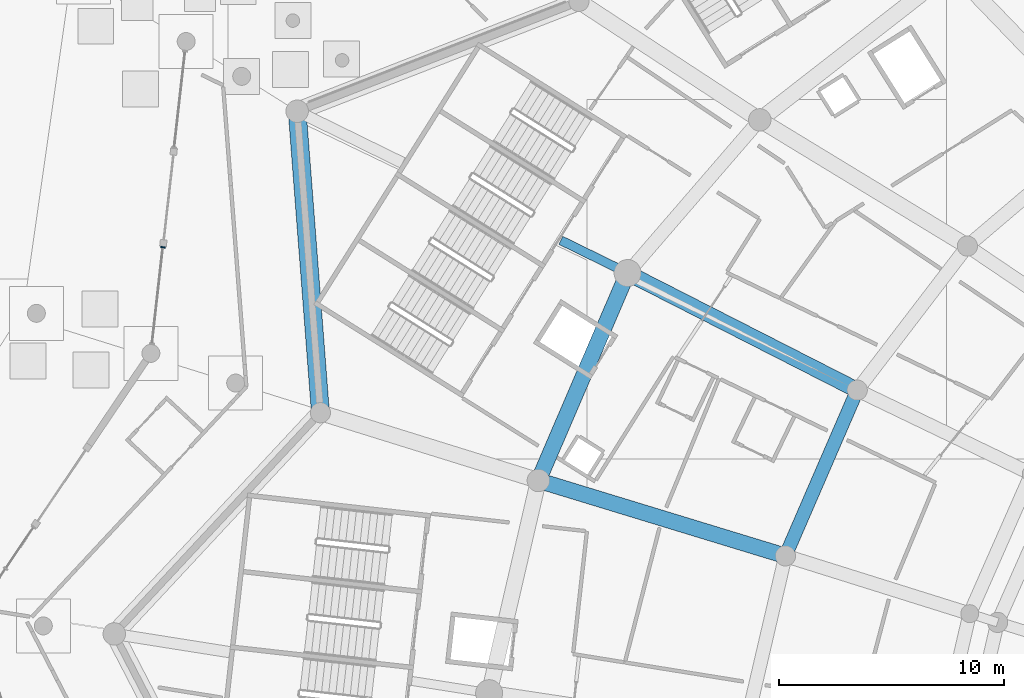
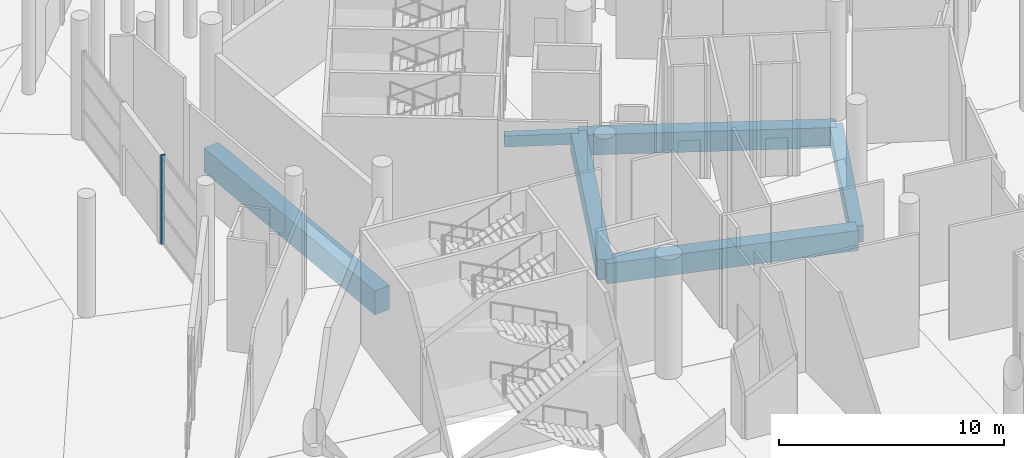
# One storey, part 46 of 255: 6 beams, 1 member, 1 element without a shape of its own.
"""IFC4 building model written with IfcOpenShell, lengths in metres."""

from ifc_helpers import new_model, si_unit, direction, frame, origin, origin_2d, place, context, subcontext, project, spatial, rectangle, extrude, material, layer, layer_set, material_profile, profile_set, type_object, element, aggregate, save


model = new_model("IFC4")

# Units and contexts
model_context = context("Model", 3, precision=1e-05, world=origin(), true_north=direction((0.0, 1.0)))
body_context = subcontext(model_context, "Body", "Model", "MODEL_VIEW")
ifc_project = project(units=[si_unit("LENGTHUNIT", "METRE"), si_unit("AREAUNIT", "SQUARE_METRE"), si_unit("VOLUMEUNIT", "CUBIC_METRE"), si_unit("PLANEANGLEUNIT", "RADIAN"), si_unit("MASSUNIT", "GRAM", prefix="KILO")], contexts=[model_context])

# Site, building, storey
site_placement = place(None, origin())
site = spatial("IfcSite", under=ifc_project, at=site_placement, CompositionType="ELEMENT")
building_placement = place(site_placement, origin())
building = spatial("IfcBuilding", under=site, at=building_placement, Name="Meseta Stadium", CompositionType="ELEMENT")
storey_placement = place(building_placement, origin())
storey = spatial("IfcBuildingStorey", under=building, at=storey_placement, Name="L00", CompositionType="ELEMENT", Elevation=0.0)

# Beams
ifc_material_1 = material(Name="Concrete C40/50", Category="concrete")
ifc_material_profile_1 = material_profile(ifc_material_1, rectangle(XDim=0.39990234375, YDim=0.60009765625, at=origin_2d()), Name="RC 400x600")
ifc_profile_set_1 = profile_set([ifc_material_profile_1], Name="Concrete C40/50")
beam_type_1 = type_object("IfcBeamType", Name="RC beam 400x600", PredefinedType="BEAM", material=ifc_profile_set_1)
beam_1_placement = place(storey_placement, frame((-78.197998046875, 72.27197265625, -0.699951171875), z_axis=(-0.898132346212, 0.439725242267, 0.0), x_axis=(-0.439725242267, -0.898132346212, 0.0)))
element("IfcBeam", 1, at=beam_1_placement, inside=storey, type_object=beam_type_1, Name="L00 radial beam frame 26 line P to R", PredefinedType="BEAM", context=body_context, shape_type="SweptSolid", body=[
    extrude(rectangle(XDim=0.39990234375, YDim=0.60009765625, at=origin_2d()), origin(), (0.0, 0.0, 1.0), 3.306396484375),
])
ifc_material_2 = material(Name="Concrete C40/50", Category="concrete")
ifc_material_profile_2 = material_profile(ifc_material_2, rectangle(XDim=0.60009765625, YDim=0.89990234375, at=origin_2d()), Name="RC 600x900")
ifc_profile_set_2 = profile_set([ifc_material_profile_2], Name="Concrete C40/50")
beam_type_2 = type_object("IfcBeamType", Name="RC beam 600x900", PredefinedType="BEAM", material=ifc_profile_set_2)
beam_2_placement = place(storey_placement, frame((-67.972412109375, 67.057861328125, -0.85009765625), z_axis=(-0.397502661884, -0.91760102103, 0.0), x_axis=(0.91760102103, -0.397502661884, 0.0)))
element("IfcBeam", 2, at=beam_2_placement, inside=storey, type_object=beam_type_2, Name="L00 ring beam frame 26 line E", PredefinedType="BEAM", context=body_context, shape_type="SweptSolid", body=[
    extrude(rectangle(XDim=0.60009765625, YDim=0.89990234375, at=origin_2d()), origin(), (0.0, 0.0, 1.0), 8.04345703125),
])
ifc_material_3 = material(Name="Concrete C40/50", Category="concrete")
ifc_material_profile_3 = material_profile(ifc_material_3, rectangle(XDim=0.699951171875, YDim=1.10009765625, at=origin_2d()), Name="RC 700x1100")
ifc_profile_set_3 = profile_set([ifc_material_profile_3], Name="Concrete C40/50")
beam_type_3 = type_object("IfcBeamType", Name="RC beam 700x1100", PredefinedType="BEAM", material=ifc_profile_set_3)
beam_3_placement = place(storey_placement, frame((-78.197998046875, 72.27197265625, -0.949951171875), z_axis=(-0.394921198525, -0.918714997676, 0.0), x_axis=(0.918714997676, -0.394921198525, 0.0)))
element("IfcBeam", 3, at=beam_3_placement, inside=storey, type_object=beam_type_3, Name="L00 ring beam frame 26 line P", PredefinedType="BEAM", context=body_context, shape_type="SweptSolid", body=[
    extrude(rectangle(XDim=0.699951171875, YDim=1.10009765625, at=origin_2d()), origin(), (0.0, 0.0, 1.0), 10.0556640625),
])
beam_4_placement = place(storey_placement, frame((-67.972412109375, 67.057861328125, -0.949951171875), z_axis=(-0.890868510984, 0.454261264184, 0.0), x_axis=(-0.454261264184, -0.890868510984, 0.0)))
element("IfcBeam", 4, at=beam_4_placement, inside=storey, type_object=beam_type_3, Name="L00 radial beam frame 26 line E to P", PredefinedType="BEAM", context=body_context, shape_type="SweptSolid", body=[
    extrude(rectangle(XDim=0.699951171875, YDim=1.10009765625, at=origin_2d()), origin(), (0.0, 0.0, 1.0), 11.478271484375),
])
beam_5_placement = place(storey_placement, frame((-71.169677734375, 59.67724609375, -0.949951171875), z_axis=(-0.956461260307, 0.291859311198, 0.0), x_axis=(-0.291859311198, -0.956461260307, 0.0)))
element("IfcBeam", 5, at=beam_5_placement, inside=storey, type_object=beam_type_3, Name="L00 radial beam frame 27 line E to P", PredefinedType="BEAM", context=body_context, shape_type="SweptSolid", body=[
    extrude(rectangle(XDim=0.699951171875, YDim=1.10009765625, at=origin_2d()), origin(), (0.0, 0.0, 1.0), 11.500244140625),
])
ifc_material_4 = material(Name="Concrete C40/50", Category="concrete")
ifc_material_profile_4 = material_profile(ifc_material_4, rectangle(XDim=0.800048828125, YDim=1.300048828125, at=origin_2d()), Name="RC 800x1300")
ifc_profile_set_4 = profile_set([ifc_material_profile_4], Name="Concrete C40/50")
beam_type_4 = type_object("IfcBeamType", Name="RC beam 800x1300", PredefinedType="BEAM", material=ifc_profile_set_4)
beam_6_placement = place(storey_placement, frame((-92.908447265625, 79.474609375, -1.050048828125), z_axis=(0.076925307894, -0.997036858399, 0.0), x_axis=(0.997036858399, 0.076925307894, 0.0)))
element("IfcBeam", 6, at=beam_6_placement, inside=storey, type_object=beam_type_4, Name="L00 ring beam frame 26 line R", PredefinedType="BEAM", context=body_context, shape_type="SweptSolid", body=[
    extrude(rectangle(XDim=0.800048828125, YDim=1.300048828125, at=origin_2d()), origin(), (0.0, 0.0, 1.0), 13.462890625),
])

# Curtain wall, member
ifc_material_5 = material(Name="Aluminium", Category="aluminium")
ifc_layer = layer(ifc_material_5, 0.199951171875)
ifc_layer_set = layer_set([ifc_layer], Name="Ring shopfront curtain wall")
curtain_wall_type = type_object("IfcCurtainWallType", Name="Ring shopfront curtain wall", PredefinedType="NOTDEFINED", material=ifc_layer_set)
curtain_wall_placement = place(storey_placement, origin())
curtain_wall = element("IfcCurtainWall", 7, at=curtain_wall_placement, inside=storey, type_object=curtain_wall_type, Name="Shopfront glazing F26b", PredefinedType="NOTDEFINED")
ifc_material_6 = material(Name="Aluminium", Category="aluminium")
ifc_material_profile_5 = material_profile(ifc_material_6, rectangle(XDim=0.199951171875, YDim=0.06005859375, at=origin_2d()), Name="CW 200x60")
ifc_profile_set_5 = profile_set([ifc_material_profile_5], Name="Aluminium")
member_type = type_object("IfcMemberType", Name="Ring CW mullion 60x200", PredefinedType="MULLION", material=ifc_profile_set_5)
member_placement = place(storey_placement, frame((-98.888671875, 73.42138671875, 0.0), z_axis=(0.0, 0.0, 1.0), x_axis=(0.993654842707, -0.112472456913, 0.0)))
member = element("IfcMember", 8, at=member_placement, type_object=member_type, Name="CWR1 mullion 1", PredefinedType="MULLION", context=body_context, shape_type="SweptSolid", body=[
    extrude(rectangle(XDim=0.199951171875, YDim=0.06005859375, at=origin_2d()), origin(), (0.0, 0.0, 1.0), 4.85009765625),
])
aggregate(curtain_wall, [member])

save(model, "model.ifc")
